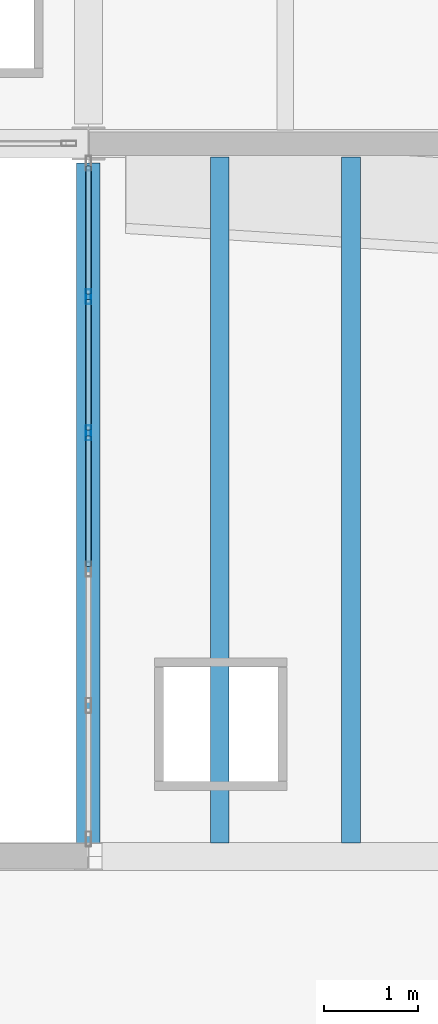
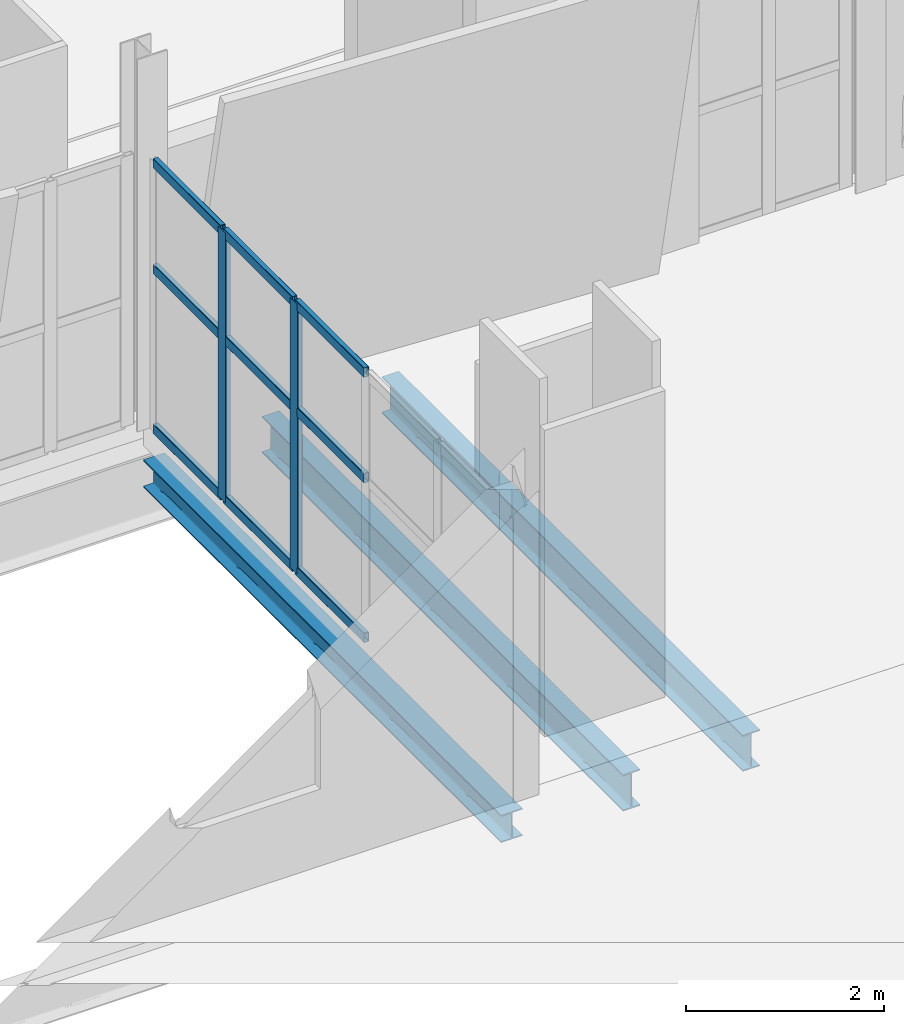
# One storey, part 20 of 172: 11 members, 3 beams, 1 element without a shape of its own.
"""IFC4 building model written with IfcOpenShell, lengths in metres."""

from ifc_helpers import new_model, si_unit, direction, frame, origin, origin_2d, place, context, subcontext, project, spatial, hollow_rectangle, i_section, extrude, material, material_profile, profile_set, type_object, element, aggregate, save


model = new_model("IFC4")

# Units and contexts
model_context = context("Model", 3, precision=1e-05, world=origin(), true_north=direction((0.0, 1.0)))
body_context = subcontext(model_context, "Body", "Model", "MODEL_VIEW")
ifc_project = project(units=[si_unit("LENGTHUNIT", "METRE"), si_unit("AREAUNIT", "SQUARE_METRE"), si_unit("VOLUMEUNIT", "CUBIC_METRE"), si_unit("PLANEANGLEUNIT", "RADIAN"), si_unit("MASSUNIT", "GRAM", prefix="KILO")], contexts=[model_context])

# Site, building, storey
site_placement = place(None, origin())
site = spatial("IfcSite", under=ifc_project, at=site_placement, CompositionType="ELEMENT")
building_placement = place(site_placement, origin())
building = spatial("IfcBuilding", under=site, at=building_placement, Name="Shengluoqiao Park Theatre", CompositionType="ELEMENT")
storey_placement = place(building_placement, frame((0.0, 0.0, 5.39990234375)))
storey = spatial("IfcBuildingStorey", under=building, at=storey_placement, Name="L01", CompositionType="ELEMENT", Elevation=5.39990234375)

# Curtain wall, members
ifc_material_1 = material(Name="Aluminium 6063-T6", Category="aluminium")
curtain_wall_type = type_object("IfcCurtainWallType", Name="ENV-CW-COURT", PredefinedType="NOTDEFINED", material=ifc_material_1)
curtain_wall_placement = place(storey_placement, origin())
curtain_wall = element("IfcCurtainWall", 1, at=curtain_wall_placement, inside=storey, type_object=curtain_wall_type, Name="L01 Curtain Wall CWX-L01-0159", PredefinedType="NOTDEFINED")
ifc_material_profile_1 = material_profile(ifc_material_1, hollow_rectangle(XDim=0.06005859375, YDim=0.159912109375, WallThickness=0.00390625, InnerFilletRadius=0.00390625, OuterFilletRadius=0.008056640625, at=origin_2d()), Name="ALU MULLION 160x60x4")
ifc_profile_set_1 = profile_set([ifc_material_profile_1], Name="Aluminium 6063-T6")
member_type_1 = type_object("IfcMemberType", Name="ENV-MUL-160", PredefinedType="MULLION", material=ifc_profile_set_1)
member_1_placement = place(storey_placement, frame((19.199951171875, 27.314208984375, 0.0), z_axis=(0.0, 0.0, 1.0), x_axis=(-1.0, 0.0, 0.0)))
member_1 = element("IfcMember", 2, at=member_1_placement, type_object=member_type_1, Name="CW-05 mullion 4", PredefinedType="MULLION", context=body_context, shape_type="SweptSolid", body=[
    extrude(hollow_rectangle(XDim=0.06005859375, YDim=0.159912109375, WallThickness=0.00390625, InnerFilletRadius=0.00390625, OuterFilletRadius=0.008056640625, at=origin_2d()), origin(), (0.0, 0.0, 1.0), 3.338134765625),
])
member_2_placement = place(storey_placement, frame((19.199951171875, 28.767578125, 0.0), z_axis=(0.0, 0.0, 1.0), x_axis=(-1.0, 0.0, 0.0)))
member_2 = element("IfcMember", 3, at=member_2_placement, type_object=member_type_1, Name="CW-05 mullion 5", PredefinedType="MULLION", context=body_context, shape_type="SweptSolid", body=[
    extrude(hollow_rectangle(XDim=0.06005859375, YDim=0.159912109375, WallThickness=0.00390625, InnerFilletRadius=0.00390625, OuterFilletRadius=0.008056640625, at=origin_2d()), origin(), (0.0, 0.0, 1.0), 3.338134765625),
])
ifc_material_profile_2 = material_profile(ifc_material_1, hollow_rectangle(XDim=0.06005859375, YDim=0.1201171875, WallThickness=0.00390625, InnerFilletRadius=0.00390625, OuterFilletRadius=0.008056640625, at=origin_2d()), Name="ALU TRANSOM 120x60x4")
ifc_profile_set_2 = profile_set([ifc_material_profile_2], Name="Aluminium 6063-T6")
member_type_2 = type_object("IfcMemberType", Name="ENV-TRN-120", PredefinedType="USERDEFINED", material=ifc_profile_set_2)
member_3_placement = place(storey_placement, frame((19.199951171875, 25.890869140625, 0.030029296875), z_axis=(0.0, 1.0, 0.0), x_axis=(-1.0, 0.0, 0.0)))
member_3 = element("IfcMember", 4, at=member_3_placement, type_object=member_type_2, Name="CW-05 transom 3.1", ObjectType="TRANSOM", PredefinedType="USERDEFINED", context=body_context, shape_type="SweptSolid", body=[
    extrude(hollow_rectangle(XDim=0.06005859375, YDim=0.1201171875, WallThickness=0.00390625, InnerFilletRadius=0.00390625, OuterFilletRadius=0.008056640625, at=origin_2d()), origin(), (0.0, 0.0, 1.0), 1.393310546875),
])
member_4_placement = place(storey_placement, frame((19.199951171875, 25.890869140625, 2.003173828125), z_axis=(0.0, 1.0, 0.0), x_axis=(-1.0, 0.0, 0.0)))
member_4 = element("IfcMember", 5, at=member_4_placement, type_object=member_type_2, Name="CW-05 transom 3.2", ObjectType="TRANSOM", PredefinedType="USERDEFINED", context=body_context, shape_type="SweptSolid", body=[
    extrude(hollow_rectangle(XDim=0.06005859375, YDim=0.1201171875, WallThickness=0.00390625, InnerFilletRadius=0.00390625, OuterFilletRadius=0.008056640625, at=origin_2d()), origin(), (0.0, 0.0, 1.0), 1.393310546875),
])
member_5_placement = place(storey_placement, frame((19.199951171875, 25.890869140625, 3.30810546875), z_axis=(0.0, 1.0, 0.0), x_axis=(-1.0, 0.0, 0.0)))
member_5 = element("IfcMember", 6, at=member_5_placement, type_object=member_type_2, Name="CW-05 transom 3.3", ObjectType="TRANSOM", PredefinedType="USERDEFINED", context=body_context, shape_type="SweptSolid", body=[
    extrude(hollow_rectangle(XDim=0.06005859375, YDim=0.1201171875, WallThickness=0.00390625, InnerFilletRadius=0.00390625, OuterFilletRadius=0.008056640625, at=origin_2d()), origin(), (0.0, 0.0, 1.0), 1.393310546875),
])
member_6_placement = place(storey_placement, frame((19.199951171875, 27.34423828125, 0.030029296875), z_axis=(0.0, 1.0, 0.0), x_axis=(-1.0, 0.0, 0.0)))
member_6 = element("IfcMember", 7, at=member_6_placement, type_object=member_type_2, Name="CW-05 transom 4.1", ObjectType="TRANSOM", PredefinedType="USERDEFINED", context=body_context, shape_type="SweptSolid", body=[
    extrude(hollow_rectangle(XDim=0.06005859375, YDim=0.1201171875, WallThickness=0.00390625, InnerFilletRadius=0.00390625, OuterFilletRadius=0.008056640625, at=origin_2d()), origin(), (0.0, 0.0, 1.0), 1.393310546875),
])
member_7_placement = place(storey_placement, frame((19.199951171875, 27.34423828125, 2.003173828125), z_axis=(0.0, 1.0, 0.0), x_axis=(-1.0, 0.0, 0.0)))
member_7 = element("IfcMember", 8, at=member_7_placement, type_object=member_type_2, Name="CW-05 transom 4.2", ObjectType="TRANSOM", PredefinedType="USERDEFINED", context=body_context, shape_type="SweptSolid", body=[
    extrude(hollow_rectangle(XDim=0.06005859375, YDim=0.1201171875, WallThickness=0.00390625, InnerFilletRadius=0.00390625, OuterFilletRadius=0.008056640625, at=origin_2d()), origin(), (0.0, 0.0, 1.0), 1.393310546875),
])
member_8_placement = place(storey_placement, frame((19.199951171875, 27.34423828125, 3.30810546875), z_axis=(0.0, 1.0, 0.0), x_axis=(-1.0, 0.0, 0.0)))
member_8 = element("IfcMember", 9, at=member_8_placement, type_object=member_type_2, Name="CW-05 transom 4.3", ObjectType="TRANSOM", PredefinedType="USERDEFINED", context=body_context, shape_type="SweptSolid", body=[
    extrude(hollow_rectangle(XDim=0.06005859375, YDim=0.1201171875, WallThickness=0.00390625, InnerFilletRadius=0.00390625, OuterFilletRadius=0.008056640625, at=origin_2d()), origin(), (0.0, 0.0, 1.0), 1.393310546875),
])
member_9_placement = place(storey_placement, frame((19.199951171875, 28.797607421875, 0.030029296875), z_axis=(0.0, 1.0, 0.0), x_axis=(-1.0, 0.0, 0.0)))
member_9 = element("IfcMember", 10, at=member_9_placement, type_object=member_type_2, Name="CW-05 transom 5.1", ObjectType="TRANSOM", PredefinedType="USERDEFINED", context=body_context, shape_type="SweptSolid", body=[
    extrude(hollow_rectangle(XDim=0.06005859375, YDim=0.1201171875, WallThickness=0.00390625, InnerFilletRadius=0.00390625, OuterFilletRadius=0.008056640625, at=origin_2d()), origin(), (0.0, 0.0, 1.0), 1.36328125),
])
member_10_placement = place(storey_placement, frame((19.199951171875, 28.797607421875, 2.003173828125), z_axis=(0.0, 1.0, 0.0), x_axis=(-1.0, 0.0, 0.0)))
member_10 = element("IfcMember", 11, at=member_10_placement, type_object=member_type_2, Name="CW-05 transom 5.2", ObjectType="TRANSOM", PredefinedType="USERDEFINED", context=body_context, shape_type="SweptSolid", body=[
    extrude(hollow_rectangle(XDim=0.06005859375, YDim=0.1201171875, WallThickness=0.00390625, InnerFilletRadius=0.00390625, OuterFilletRadius=0.008056640625, at=origin_2d()), origin(), (0.0, 0.0, 1.0), 1.36328125),
])
member_11_placement = place(storey_placement, frame((19.199951171875, 28.797607421875, 3.30810546875), z_axis=(0.0, 1.0, 0.0), x_axis=(-1.0, 0.0, 0.0)))
member_11 = element("IfcMember", 12, at=member_11_placement, type_object=member_type_2, Name="CW-05 transom 5.3", ObjectType="TRANSOM", PredefinedType="USERDEFINED", context=body_context, shape_type="SweptSolid", body=[
    extrude(hollow_rectangle(XDim=0.06005859375, YDim=0.1201171875, WallThickness=0.00390625, InnerFilletRadius=0.00390625, OuterFilletRadius=0.008056640625, at=origin_2d()), origin(), (0.0, 0.0, 1.0), 1.36328125),
])
aggregate(curtain_wall, [member_1, member_2, member_3, member_4, member_5, member_6, member_7, member_8, member_9, member_10, member_11])

# Beams
ifc_material_2 = material(Name="Steel Q355", Category="steel")
ifc_material_profile_3 = material_profile(ifc_material_2, i_section(OverallWidth=0.25, OverallDepth=0.340087890625, WebThickness=0.009033203125, FlangeThickness=0.013916015625, FilletRadius=0.01611328125, at=origin_2d()), Name="HM 340x250x9x14")
ifc_profile_set_3 = profile_set([ifc_material_profile_3], Name="Steel Q355")
beam_type_1 = type_object("IfcBeamType", Name="STR-BM-G-HM340", PredefinedType="BEAM", material=ifc_profile_set_3)
beam_placement = place(storey_placement, frame((19.199951171875, 22.944091796875, -0.510009765625), z_axis=(0.0, 1.0, 0.0), x_axis=(-1.0, 0.0, 0.0)))
element("IfcBeam", 13, at=beam_placement, inside=storey, type_object=beam_type_1, Name="L01 Transverse Girder 00444", PredefinedType="BEAM", context=body_context, shape_type="SweptSolid", body=[
    extrude(i_section(OverallWidth=0.25, OverallDepth=0.340087890625, WebThickness=0.009033203125, FlangeThickness=0.013916015625, FilletRadius=0.01611328125, at=origin_2d()), origin(), (0.0, 0.0, 1.0), 7.247802734375),
])
ifc_material_profile_4 = material_profile(ifc_material_2, i_section(OverallWidth=0.199951171875, OverallDepth=0.449951171875, WebThickness=0.009033203125, FlangeThickness=0.013916015625, FilletRadius=0.01611328125, at=origin_2d()), Name="HN 450x200x9x14")
ifc_profile_set_4 = profile_set([ifc_material_profile_4], Name="Steel Q355")
beam_type_2 = type_object("IfcBeamType", Name="STR-BM-J-HN450", PredefinedType="JOIST", material=ifc_profile_set_4)
for number, where, z_axis, x_axis, name in (
    (14, (20.60009765625, 22.945068359375, -0.56494140625), (0.0, 1.0, 0.0), (-1.0, 0.0, 0.0), "L01 Composite Joist 00447"),
    (15, (22.0, 22.945068359375, -0.56494140625), (0.0, 1.0, 0.0), (-1.0, 0.0, 0.0), "L01 Composite Joist 00448"),
):
    element("IfcBeam", number, at=place(storey_placement, frame(where, z_axis=z_axis, x_axis=x_axis)), inside=storey, type_object=beam_type_2, Name=name, PredefinedType="JOIST", context=body_context, shape_type="SweptSolid", body=[
        extrude(i_section(OverallWidth=0.199951171875, OverallDepth=0.449951171875, WebThickness=0.009033203125, FlangeThickness=0.013916015625, FilletRadius=0.01611328125, at=origin_2d()), origin(), (0.0, 0.0, 1.0), 7.309814453125),
    ])

save(model, "model.ifc")
